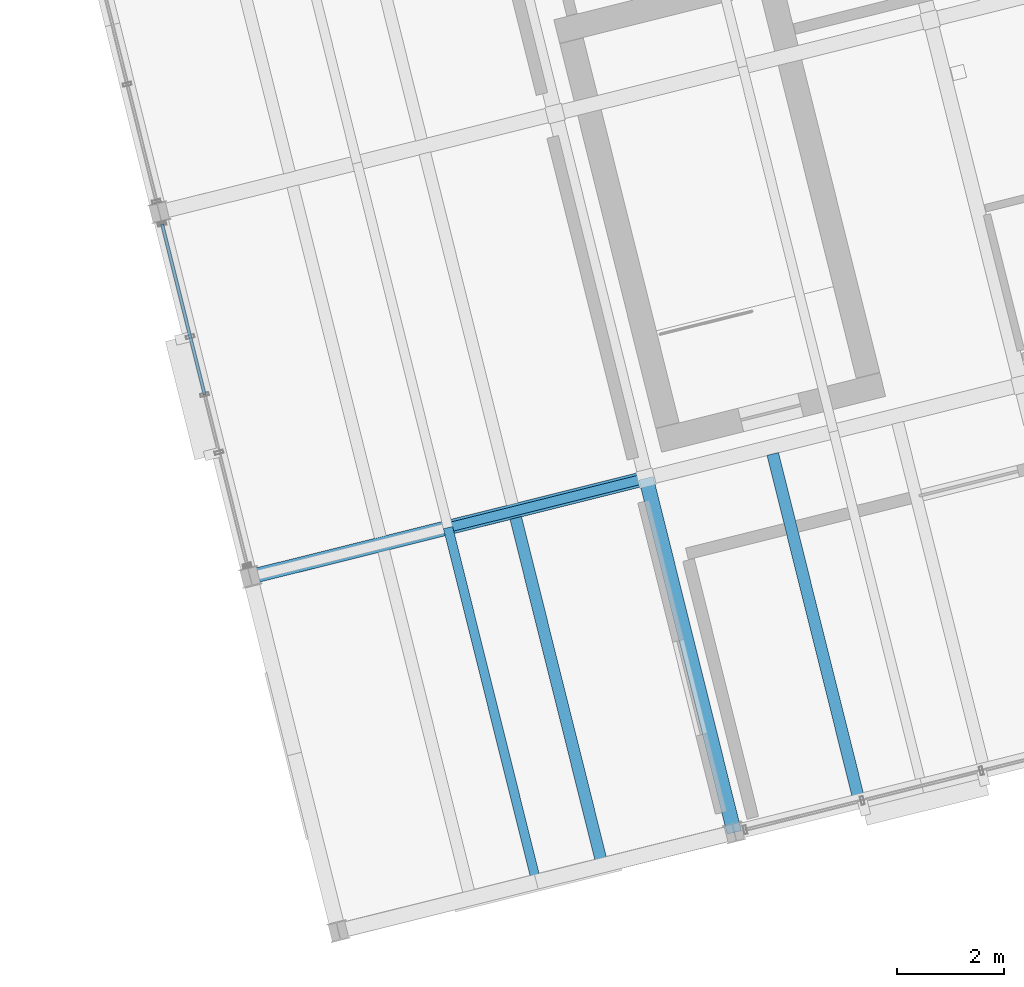
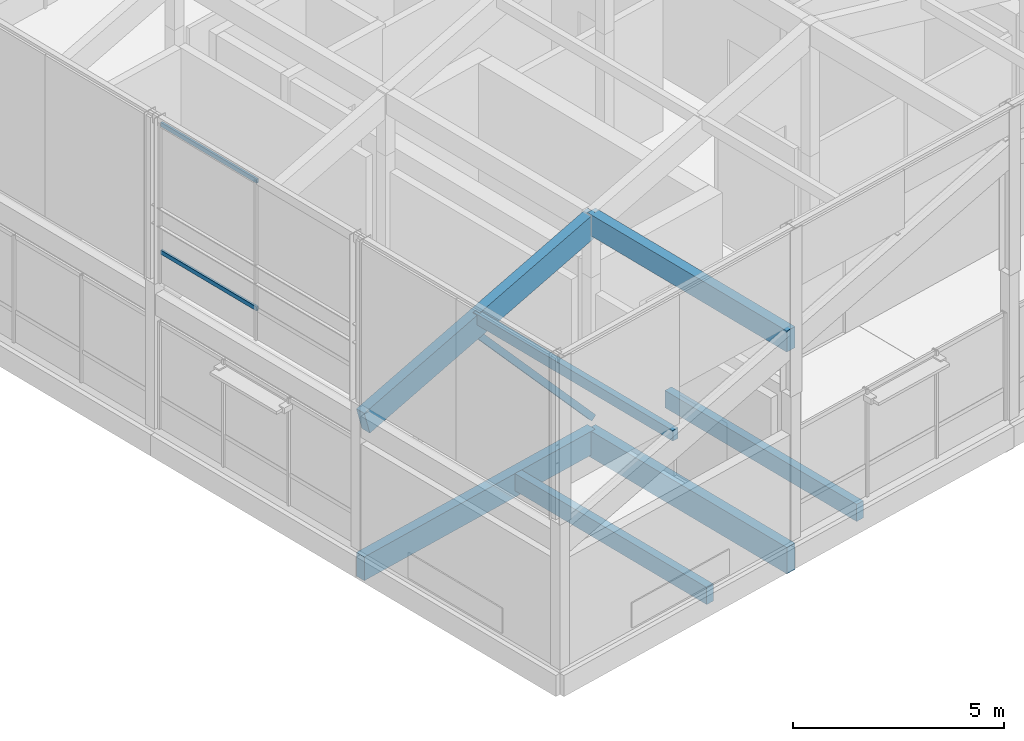
# One storey, part 5 of 31: 6 beams, 4 members, 1 element without a shape of its own.
"""IFC4 building model written with IfcOpenShell, lengths in metres."""

from ifc_helpers import new_model, si_unit, direction, frame, origin, origin_2d, place, context, subcontext, project, spatial, rectangle, hollow_rectangle, extrude, material, layer, layer_set, material_profile, profile_set, type_object, element, aggregate, save


model = new_model("IFC4")

# Units and contexts
model_context = context("Model", 3, precision=1e-05, world=origin(), true_north=direction((0.0, 1.0)))
body_context = subcontext(model_context, "Body", "Model", "MODEL_VIEW")
ifc_project = project(units=[si_unit("LENGTHUNIT", "METRE"), si_unit("AREAUNIT", "SQUARE_METRE"), si_unit("VOLUMEUNIT", "CUBIC_METRE"), si_unit("PLANEANGLEUNIT", "RADIAN"), si_unit("MASSUNIT", "GRAM", prefix="KILO")], contexts=[model_context])

# Site, building, storey
site_placement = place(None, origin())
site = spatial("IfcSite", under=ifc_project, at=site_placement, CompositionType="ELEMENT")
building_placement = place(site_placement, origin())
building = spatial("IfcBuilding", under=site, at=building_placement, Name="Meriwether Solvik Hall", CompositionType="ELEMENT")
storey_placement = place(building_placement, frame((0.0, 0.0, 61.199951171875)))
storey = spatial("IfcBuildingStorey", under=building, at=storey_placement, Name="L15", CompositionType="ELEMENT", Elevation=61.199951171875)

# Beams
ifc_material_1 = material(Name="Glulam Douglas-Fir 24F-V8 GL28h", Category="wood")
ifc_material_profile_1 = material_profile(ifc_material_1, rectangle(XDim=0.27294921875, YDim=0.610107421875, at=origin_2d()), Name="GLB-273X610")
ifc_profile_set_1 = profile_set([ifc_material_profile_1], Name="Glulam Douglas-Fir 24F-V8 GL28h")
beam_type_1 = type_object("IfcBeamType", Name="BM-GL-273X610", PredefinedType="SPANDREL", material=ifc_profile_set_1)
beam_1_placement = place(storey_placement, frame((75.974365234375, 43.03857421875, 5.704345703125), z_axis=(-0.241944251278, 0.970290152106, 0.0), x_axis=(-0.970290152106, -0.241944251278, 0.0)))
element("IfcBeam", 1, at=beam_1_placement, inside=storey, type_object=beam_type_1, Name="Roof Tie Beam T2:TA-TB", PredefinedType="SPANDREL", context=body_context, shape_type="SweptSolid", body=[
    extrude(rectangle(XDim=0.27294921875, YDim=0.610107421875, at=origin_2d()), origin(), (0.0, 0.0, 1.0), 6.80029296875),
])
ifc_material_2 = material(Name="Glulam Douglas-Fir 24F-V8 GL28h", Category="wood")
ifc_material_profile_2 = material_profile(ifc_material_2, rectangle(XDim=0.27294921875, YDim=0.68505859375, at=origin_2d()), Name="GLB-273X685")
ifc_profile_set_2 = profile_set([ifc_material_profile_2], Name="Glulam Douglas-Fir 24F-V8 GL28h")
beam_type_2 = type_object("IfcBeamType", Name="BM-GL-273X685", PredefinedType="BEAM", material=ifc_profile_set_2)
beam_2_placement = place(storey_placement, frame((66.954833984375, 47.798095703125, -0.58740234375), z_axis=(0.970295366785, 0.241923337436, 0.0), x_axis=(-0.241923337436, 0.970295366785, 0.0)))
element("IfcBeam", 2, at=beam_2_placement, inside=storey, type_object=beam_type_2, Name="Tower Girder TB:T1-T2 (L15)", PredefinedType="BEAM", context=body_context, shape_type="SweptSolid", body=[
    extrude(rectangle(XDim=0.27294921875, YDim=0.68505859375, at=origin_2d()), origin(), (0.0, 0.0, 1.0), 7.60009765625),
])
beam_3_placement = place(storey_placement, frame((67.043701171875, 47.820068359375, 3.573974609375), z_axis=(0.935075971335, 0.233142100319, 0.266978817308), x_axis=(-0.241923337436, 0.970295366785, 0.0)))
element("IfcBeam", 3, at=beam_3_placement, inside=storey, type_object=beam_type_2, Name="Sloped Roof Rafter TB:T1-T2", PredefinedType="BEAM", context=body_context, shape_type="SweptSolid", body=[
    extrude(rectangle(XDim=0.27294921875, YDim=0.68505859375, at=origin_2d()), origin(), (0.0, 0.0, 1.0), 7.88623046875),
])
ifc_material_3 = material(Name="Glulam Douglas-Fir 24F-V8 GL28h", Category="wood")
ifc_material_profile_3 = material_profile(ifc_material_3, rectangle(XDim=0.27294921875, YDim=0.760009765625, at=origin_2d()), Name="GLB-273X760")
ifc_profile_set_3 = profile_set([ifc_material_profile_3], Name="Glulam Douglas-Fir 24F-V8 GL28h")
beam_type_3 = type_object("IfcBeamType", Name="BM-GL-273X760", PredefinedType="BEAM", material=ifc_profile_set_3)
beam_4_placement = place(storey_placement, frame((75.974365234375, 43.03857421875, -0.625), z_axis=(-0.241944251278, 0.970290152106, 0.0), x_axis=(-0.970290152106, -0.241944251278, 0.0)))
element("IfcBeam", 4, at=beam_4_placement, inside=storey, type_object=beam_type_3, Name="Tower Girder T2:TA-TB (L15)", PredefinedType="BEAM", context=body_context, shape_type="SweptSolid", body=[
    extrude(rectangle(XDim=0.27294921875, YDim=0.760009765625, at=origin_2d()), origin(), (0.0, 0.0, 1.0), 6.80029296875),
])

# Curtain wall, members
ifc_material_4 = material(Name="Thermally Broken Anodised Aluminium 6063-T6 and Low-E Glass", Category="aluminium")
ifc_layer = layer(ifc_material_4, 0.179931640625)
ifc_layer_set = layer_set([ifc_layer], Name="Thermally Broken Anodised Aluminium 6063-T6 and Low-E Glass")
curtain_wall_type = type_object("IfcCurtainWallType", Name="CW-CROWN-GL", PredefinedType="USERDEFINED", material=ifc_layer_set)
curtain_wall_placement = place(storey_placement, origin())
curtain_wall = element("IfcCurtainWall", 5, at=curtain_wall_placement, inside=storey, type_object=curtain_wall_type, Name="Curtain Wall crown_W_3 (L15)", ObjectType="UNITISED CURTAIN WALL", PredefinedType="USERDEFINED")
ifc_material_5 = material(Name="Anodised Aluminium 6063-T6", Category="aluminium")
ifc_material_profile_4 = material_profile(ifc_material_5, hollow_rectangle(XDim=0.06005859375, YDim=0.1201171875, WallThickness=0.00390625, at=origin_2d()), Name="CWT-60X120")
ifc_profile_set_4 = profile_set([ifc_material_profile_4], Name="Anodised Aluminium 6063-T6")
member_type_1 = type_object("IfcMemberType", Name="CW-TRN-60X120", PredefinedType="USERDEFINED", material=ifc_profile_set_4)
member_1_placement = place(storey_placement, frame((65.316650390625, 54.368896484375, 5.10009765625), z_axis=(0.241903536167, -0.970300303612, 0.0), x_axis=(0.970300303612, 0.241903536167, 0.0)))
member_1 = element("IfcMember", 6, at=member_1_placement, type_object=member_type_1, Name="Curtain Wall Transom 1-sill", ObjectType="TRANSOM", PredefinedType="USERDEFINED", context=body_context, shape_type="SweptSolid", body=[
    extrude(hollow_rectangle(XDim=0.06005859375, YDim=0.1201171875, WallThickness=0.00390625, at=origin_2d()), origin(), (0.0, 0.0, 1.0), 3.27197265625),
])
member_2_placement = place(storey_placement, frame((65.316650390625, 54.368896484375, 8.7900390625), z_axis=(0.241903536167, -0.970300303612, 0.0), x_axis=(0.970300303612, 0.241903536167, 0.0)))
member_2 = element("IfcMember", 7, at=member_2_placement, type_object=member_type_1, Name="Curtain Wall Transom 1-head", ObjectType="TRANSOM", PredefinedType="USERDEFINED", context=body_context, shape_type="SweptSolid", body=[
    extrude(hollow_rectangle(XDim=0.06005859375, YDim=0.1201171875, WallThickness=0.00390625, at=origin_2d()), origin(), (0.0, 0.0, 1.0), 3.27197265625),
])
aggregate(curtain_wall, [member_1, member_2])

# Beams
ifc_material_6 = material(Name="Glulam Douglas-Fir 24F-V8 GL28h", Category="wood")
ifc_material_profile_5 = material_profile(ifc_material_6, rectangle(XDim=0.221923828125, YDim=0.4951171875, at=origin_2d()), Name="GLJ-222X495")
ifc_profile_set_5 = profile_set([ifc_material_profile_5], Name="Glulam Douglas-Fir 24F-V8 GL28h")
beam_type_4 = type_object("IfcBeamType", Name="JST-GL-222X495", PredefinedType="JOIST", material=ifc_profile_set_5)
beam_5_placement = place(storey_placement, frame((73.484375, 42.55322265625, -0.492431640625), z_axis=(-0.241929249708, 0.970293892661, 0.0), x_axis=(-0.970293892661, -0.241929249708, 0.0)))
element("IfcBeam", 8, at=beam_5_placement, inside=storey, type_object=beam_type_4, Name="Glulam Floor Joist T1/TA-J2 (L15)", PredefinedType="JOIST", context=body_context, shape_type="SweptSolid", body=[
    extrude(rectangle(XDim=0.221923828125, YDim=0.4951171875, at=origin_2d()), origin(), (0.0, 0.0, 1.0), 6.537109375),
])
beam_6_placement = place(storey_placement, frame((78.271240234375, 43.746826171875, -0.492431640625), z_axis=(-0.241938016776, 0.970291706673, 0.0), x_axis=(-0.970291706673, -0.241938016776, 0.0)))
element("IfcBeam", 9, at=beam_6_placement, inside=storey, type_object=beam_type_4, Name="Glulam Floor Joist T2/TA-J1 (L15)", PredefinedType="JOIST", context=body_context, shape_type="SweptSolid", body=[
    extrude(rectangle(XDim=0.221923828125, YDim=0.4951171875, at=origin_2d()), origin(), (0.0, 0.0, 1.0), 6.536865234375),
])

# Members
ifc_material_7 = material(Name="Steel A500 Grade C", Category="steel")
ifc_material_profile_6 = material_profile(ifc_material_7, hollow_rectangle(XDim=0.177978515625, YDim=0.177978515625, WallThickness=0.009521484375, at=origin_2d()), Name="HSS178X178X9.5")
ifc_profile_set_6 = profile_set([ifc_material_profile_6], Name="Steel A500 Grade C")
member_type_2 = type_object("IfcMemberType", Name="MEM-BR-HSS178", PredefinedType="BRACE", material=ifc_profile_set_6)
member_3_placement = place(storey_placement, frame((74.3291015625, 49.63671875, 0.050048828125), z_axis=(-0.645735494765, -0.161027670063, 0.746388478123), x_axis=(0.241961122321, -0.970285945114, 0.0)))
element("IfcMember", 10, at=member_3_placement, inside=storey, type_object=member_type_2, Name="Tower Chevron Brace L15-B1B", PredefinedType="BRACE", context=body_context, shape_type="SweptSolid", body=[
    extrude(hollow_rectangle(XDim=0.177978515625, YDim=0.177978515625, WallThickness=0.009521484375, at=origin_2d()), origin(), (0.0, 0.0, 1.0), 5.709716796875),
])
ifc_material_8 = material(Name="Glulam Douglas-Fir 24F-V8 GL28h", Category="wood")
ifc_material_profile_7 = material_profile(ifc_material_8, rectangle(XDim=0.175048828125, YDim=0.304931640625, at=origin_2d()), Name="GLM-175X305")
ifc_profile_set_7 = profile_set([ifc_material_profile_7], Name="Glulam Douglas-Fir 24F-V8 GL28h")
member_type_3 = type_object("IfcMemberType", Name="MEM-PRL-GL175", PredefinedType="PURLIN", material=ifc_profile_set_7)
member_4_placement = place(storey_placement, frame((72.287109375, 42.119384765625, 4.80419921875), z_axis=(-0.241918877831, 0.970296478685, 0.0), x_axis=(-0.970296478685, -0.241918877831, 0.0)))
element("IfcMember", 11, at=member_4_placement, inside=storey, type_object=member_type_3, Name="Tower Roof Glulam Purlin 1.1", PredefinedType="PURLIN", context=body_context, shape_type="SweptSolid", body=[
    extrude(rectangle(XDim=0.175048828125, YDim=0.304931640625, at=origin_2d()), origin(), (0.0, 0.0, 1.0), 6.7998046875),
])

save(model, "model.ifc")
